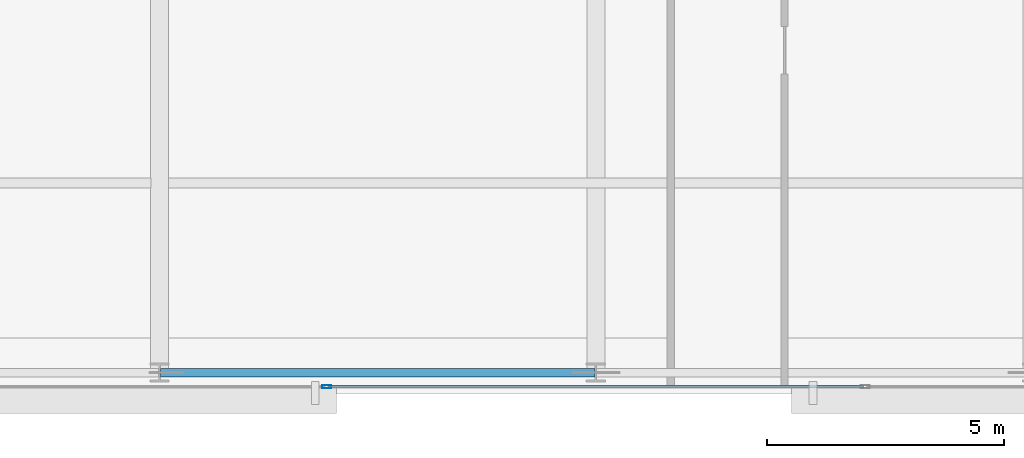
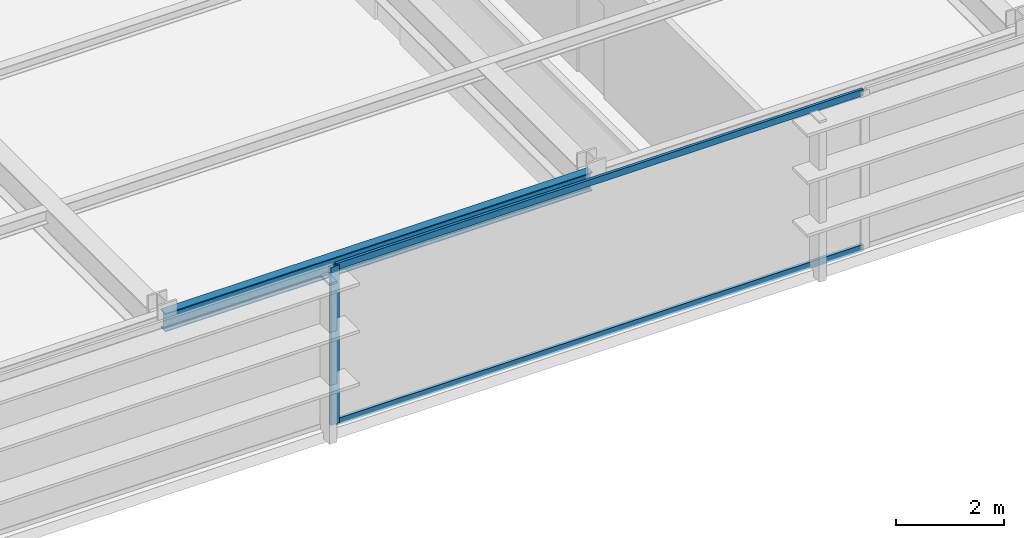
# One storey, part 6 of 32: 3 members, 1 beam, 1 element without a shape of its own.
"""IFC4 building model written with IfcOpenShell, lengths in metres."""

from ifc_helpers import new_model, si_unit, direction, frame, origin, origin_2d, place, context, subcontext, project, spatial, hollow_rectangle, i_section, extrude, source, transform, mapped, material, layer, layer_set, material_profile, profile_set, type_object, type_shapes, element, aggregate, save


model = new_model("IFC4")

# Units and contexts
model_context = context("Model", 3, precision=1e-05, world=origin(), true_north=direction((0.0, 1.0)))
body_context = subcontext(model_context, "Body", "Model", "MODEL_VIEW")
ifc_project = project(units=[si_unit("LENGTHUNIT", "METRE"), si_unit("AREAUNIT", "SQUARE_METRE"), si_unit("VOLUMEUNIT", "CUBIC_METRE"), si_unit("PLANEANGLEUNIT", "RADIAN"), si_unit("MASSUNIT", "GRAM", prefix="KILO")], contexts=[model_context])

# Site, building, storey
site_placement = place(None, origin())
site = spatial("IfcSite", under=ifc_project, at=site_placement, CompositionType="ELEMENT")
building_placement = place(site_placement, origin())
building = spatial("IfcBuilding", under=site, at=building_placement, Name="Varnel Quay Broadcast Tower", CompositionType="ELEMENT")
storey_placement = place(building_placement, frame((0.0, 0.0, 78.300048828125)))
storey = spatial("IfcBuildingStorey", under=building, at=storey_placement, Name="L18", CompositionType="ELEMENT", Elevation=78.300048828125)

# Beam
ifc_material_1 = material(Name="Structural Steel CSA G40.21 350W", Category="steel")
ifc_material_profile_1 = material_profile(ifc_material_1, i_section(OverallWidth=0.180908203125, OverallDepth=0.4169921875, WebThickness=0.010986328125, FlangeThickness=0.018310546875, FilletRadius=0.011962890625, at=origin_2d()), Name="W410X85")
ifc_profile_set_1 = profile_set([ifc_material_profile_1], Name="Structural Steel CSA G40.21 350W")
beam_type = type_object("IfcBeamType", Name="Beam_W410X85", PredefinedType="SPANDREL", material=ifc_profile_set_1)
shared_shape_1 = source(origin(), body_context, "Body", "SweptSolid", [
    extrude(i_section(OverallWidth=0.180908203125, OverallDepth=0.4169921875, WebThickness=0.010986328125, FlangeThickness=0.018310546875, FilletRadius=0.011962890625, at=origin_2d()), origin(), (0.0, 0.0, 1.0), 9.159912109375),
])
type_shapes(beam_type, [shared_shape_1])
beam_placement = place(storey_placement, frame((24.820068359375, 1.64990234375, 3.371337890625), z_axis=(1.0, 0.0, 0.0), x_axis=(0.0, 1.0, 0.0)))
element("IfcBeam", 1, at=beam_placement, inside=storey, type_object=beam_type, Name="L18 South Spandrel TC-S2-TC-S3", PredefinedType="SPANDREL", context=body_context, shape_type="MappedRepresentation", body=[
    mapped(shared_shape_1, transform((0.0, 0.0, 0.0), x_axis=(1.0, 0.0, 0.0), y_axis=(0.0, 1.0, 0.0), z_axis=(0.0, 0.0, 1.0), scale=1.0)),
])

# Curtain wall, members
ifc_material_2 = material(Name="Anodised Bronze Aluminium 6063-T6", Category="aluminium")
ifc_layer = layer(ifc_material_2, 0.18994140625, Name="Anodised Bronze Aluminium 6063-T6")
ifc_layer_set = layer_set([ifc_layer], Name="Anodised Bronze Aluminium 6063-T6")
curtain_wall_type = type_object("IfcCurtainWallType", Name="CW_LowerTower", PredefinedType="NOTDEFINED", material=ifc_layer_set)
curtain_wall_placement = place(storey_placement, origin())
curtain_wall = element("IfcCurtainWall", 2, at=curtain_wall_placement, inside=storey, type_object=curtain_wall_type, Name="L18 South Unitised Curtain Wall 1", PredefinedType="NOTDEFINED")
ifc_material_profile_2 = material_profile(ifc_material_2, hollow_rectangle(XDim=0.06005859375, YDim=0.14501953125, WallThickness=0.00341796875, at=origin_2d()), Name="ALU60X145X3.5")
ifc_profile_set_2 = profile_set([ifc_material_profile_2], Name="Anodised Bronze Aluminium 6063-T6")
member_type_1 = type_object("IfcMemberType", Name="Tran_CWS-02", PredefinedType="USERDEFINED", material=ifc_profile_set_2)
shared_shape_2 = source(origin(), body_context, "Body", "SweptSolid", [
    extrude(hollow_rectangle(XDim=0.06005859375, YDim=0.14501953125, WallThickness=0.00341796875, at=origin_2d()), origin(), (0.0, 0.0, 1.0), 11.2900390625),
])
type_shapes(member_type_1, [shared_shape_2])
member_1_placement = place(storey_placement, frame((28.35498046875, 1.35009765625, 0.030029296875), z_axis=(1.0, 0.0, 0.0), x_axis=(0.0, 1.0, 0.0)))
member_1 = element("IfcMember", 3, at=member_1_placement, type_object=member_type_1, Name="CWS-02 transom 3.1", ObjectType="TRANSOM", PredefinedType="USERDEFINED", context=body_context, shape_type="MappedRepresentation", body=[
    mapped(shared_shape_2, transform((0.0, 0.0, 0.0), x_axis=(1.0, 0.0, 0.0), y_axis=(0.0, 1.0, 0.0), z_axis=(0.0, 0.0, 1.0), scale=1.0)),
])
member_2_placement = place(storey_placement, frame((28.35498046875, 1.35009765625, 3.550048828125), z_axis=(1.0, 0.0, 0.0), x_axis=(0.0, 1.0, 0.0)))
member_2 = element("IfcMember", 4, at=member_2_placement, type_object=member_type_1, Name="CWS-02 transom 3.2", ObjectType="TRANSOM", PredefinedType="USERDEFINED", context=body_context, shape_type="MappedRepresentation", body=[
    mapped(shared_shape_2, transform((0.0, 0.0, 0.0), x_axis=(1.0, 0.0, 0.0), y_axis=(0.0, 1.0, 0.0), z_axis=(0.0, 0.0, 1.0), scale=1.0)),
])
ifc_material_profile_3 = material_profile(ifc_material_2, hollow_rectangle(XDim=0.070068359375, YDim=0.18994140625, WallThickness=0.00390625, at=origin_2d()), Name="ALU70X190X4")
ifc_profile_set_3 = profile_set([ifc_material_profile_3], Name="Anodised Bronze Aluminium 6063-T6")
member_type_2 = type_object("IfcMemberType", Name="Mull_CWS-02", PredefinedType="MULLION", material=ifc_profile_set_3)
shared_shape_3 = source(origin(), body_context, "Body", "SweptSolid", [
    extrude(hollow_rectangle(XDim=0.070068359375, YDim=0.18994140625, WallThickness=0.00390625, at=origin_2d()), origin(), (0.0, 0.0, 1.0), 3.579833984375),
])
type_shapes(member_type_2, [shared_shape_3])
member_3_placement = place(storey_placement, frame((28.320068359375, 1.35009765625, 0.0), z_axis=(0.0, 0.0, 1.0), x_axis=(0.0, 1.0, 0.0)))
member_3 = element("IfcMember", 5, at=member_3_placement, type_object=member_type_2, Name="CWS-02 mullion 3", PredefinedType="MULLION", context=body_context, shape_type="MappedRepresentation", body=[
    mapped(shared_shape_3, transform((0.0, 0.0, 0.0), x_axis=(1.0, 0.0, 0.0), y_axis=(0.0, 1.0, 0.0), z_axis=(0.0, 0.0, 1.0), scale=1.0)),
])
aggregate(curtain_wall, [member_3, member_1, member_2])

save(model, "model.ifc")
